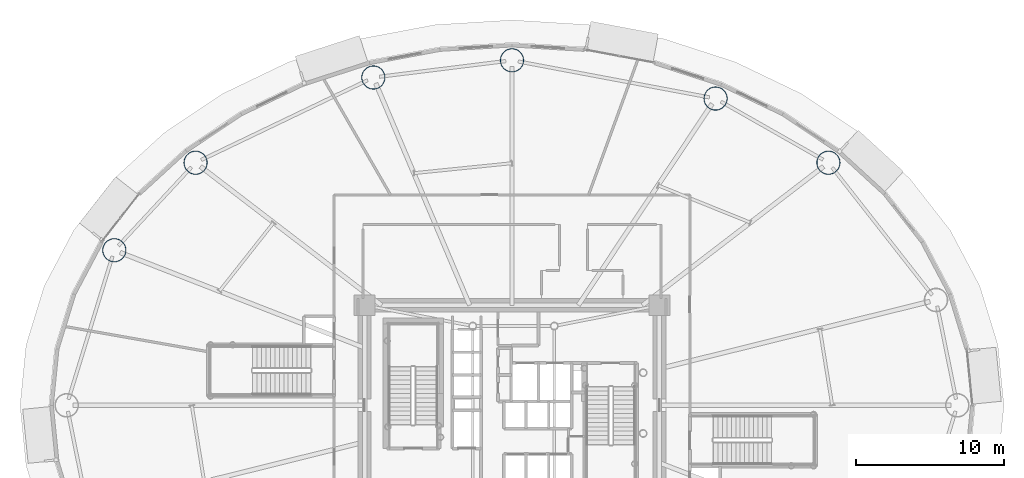
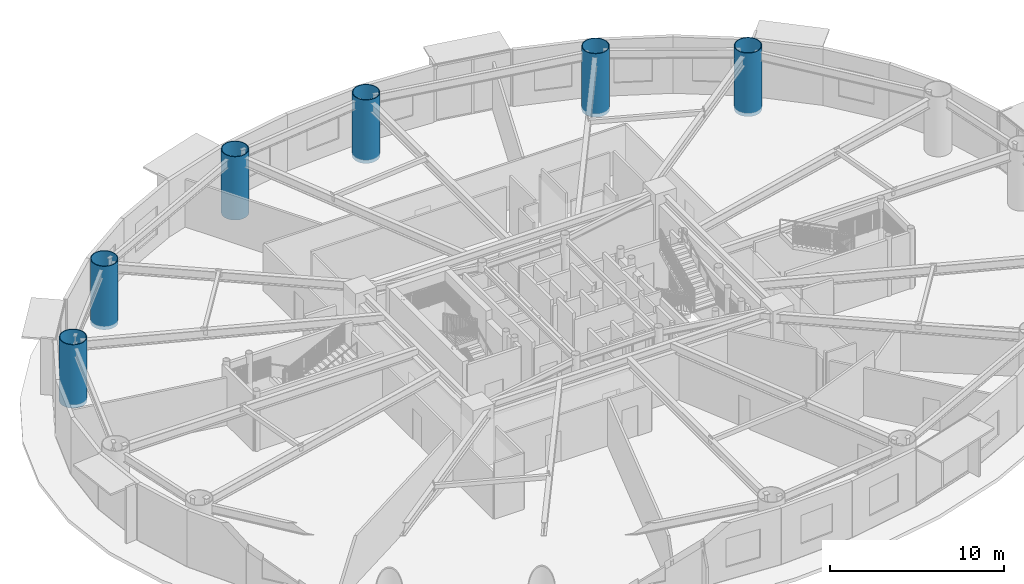
# One storey, part 3 of 35: 6 columns.
"""IFC4 building model written with IfcOpenShell, lengths in metres."""

from ifc_helpers import new_model, si_unit, direction, frame, origin, origin_2d, place, context, subcontext, project, spatial, hollow_circle, extrude, material, material_profile, profile_set, type_object, element, save


model = new_model("IFC4")

# Units and contexts
model_context = context("Model", 3, precision=1e-05, world=origin(), true_north=direction((0.0, 1.0)))
body_context = subcontext(model_context, "Body", "Model", "MODEL_VIEW")
ifc_project = project(units=[si_unit("LENGTHUNIT", "METRE"), si_unit("AREAUNIT", "SQUARE_METRE"), si_unit("VOLUMEUNIT", "CUBIC_METRE"), si_unit("PLANEANGLEUNIT", "RADIAN"), si_unit("MASSUNIT", "GRAM", prefix="KILO")], contexts=[model_context])

# Site, building, storey
site_placement = place(None, origin())
site = spatial("IfcSite", under=ifc_project, at=site_placement, CompositionType="ELEMENT")
building_placement = place(site_placement, origin())
building = spatial("IfcBuilding", under=site, at=building_placement, Name="Linh Dai School and Residence Tower", CompositionType="ELEMENT")
storey_placement = place(building_placement, frame((0.0, 0.0, 32.39990234375)))
storey = spatial("IfcBuildingStorey", under=building, at=storey_placement, Name="L07", CompositionType="ELEMENT", Elevation=32.39990234375)

# Columns
ifc_material = material(Name="Structural Steel S355JR", Category="steel")
ifc_material_profile = material_profile(ifc_material, hollow_circle(Radius=0.800048828125, WallThickness=0.044921875, at=origin_2d()), Name="CHS 1600x45")
ifc_profile_set = profile_set([ifc_material_profile], Name="Structural Steel S355JR")
column_type = type_object("IfcColumnType", Name="COL-MC2", PredefinedType="COLUMN", material=ifc_profile_set)
for number, where, z_axis, x_axis, name in (
    (1, (57.352783203125, 43.369140625, -0.25), (0.0, 0.0, 1.0), (1.0, 0.0, 0.0), "L07 Perimeter CFT Mega-Column MC03"),
    (2, (49.73828125, 47.69921875, -0.25), (0.0, 0.0, 1.0), (1.0, 0.0, 0.0), "L07 Perimeter CFT Mega-Column MC04"),
    (3, (36.0, 50.280029296875, -0.25), (0.0, 0.0, 1.0), (1.0, 0.0, 0.0), "L07 Perimeter CFT Mega-Column MC05"),
    (4, (26.642333984375, 49.119873046875, -0.25), (0.0, 0.0, 1.0), (1.0, 0.0, 0.0), "L07 Perimeter CFT Mega-Column MC06"),
    (5, (14.647216796875, 43.369140625, -0.25), (0.0, 0.0, 1.0), (1.0, 0.0, 0.0), "L07 Perimeter CFT Mega-Column MC07"),
    (6, (9.16455078125, 37.4638671875, -0.25), (0.0, 0.0, 1.0), (1.0, 0.0, 0.0), "L07 Perimeter CFT Mega-Column MC08"),
):
    element("IfcColumn", number, at=place(storey_placement, frame(where, z_axis=z_axis, x_axis=x_axis)), inside=storey, type_object=column_type, Name=name, PredefinedType="COLUMN", context=body_context, shape_type="SweptSolid", body=[
        extrude(hollow_circle(Radius=0.800048828125, WallThickness=0.044921875, at=origin_2d()), origin(), (0.0, 0.0, 1.0), 4.4501953125),
    ])

save(model, "model.ifc")
